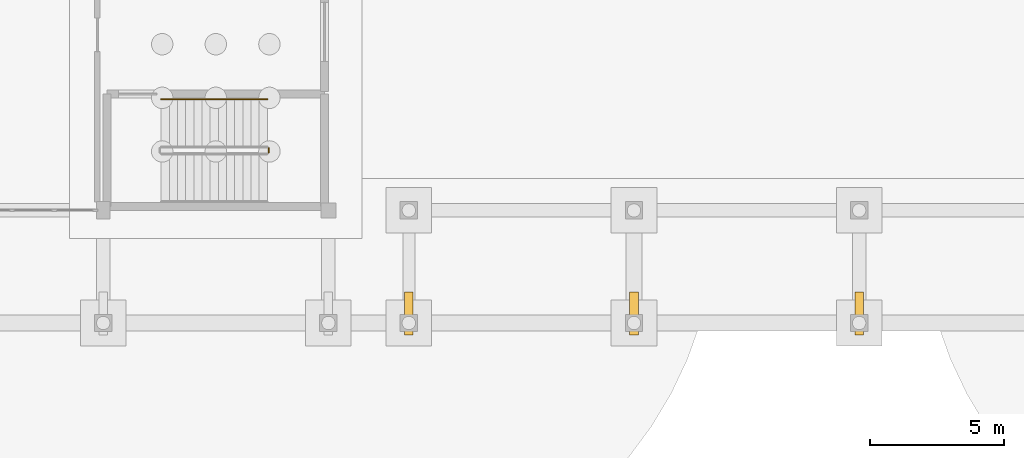
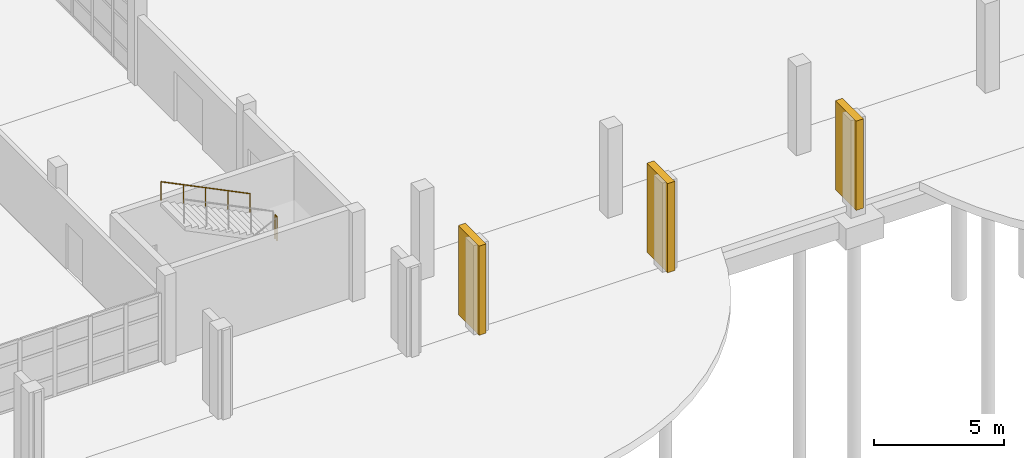
# One storey, part 71 of 88: 3 coverings, 2 railings.
"""IFC4 building model written with IfcOpenShell, lengths in metres."""

import ifcopenshell
import ifcopenshell.guid

model = None  # the IFC model being written
_history = None  # IfcOwnerHistory: only IFC2X3 demands one
_inside = {}  # id of a spatial element -> (the spatial element, [elements in it])
_under = {}  # id of a project, library or spatial element -> (it, [spatial elements below it])
_declared = {}  # id of a project -> (the project, [libraries it declares])
_typed = {}  # id of a type object -> (the type object, [elements of that type])
_made_of = {}  # id of a material, layer set ... -> (it, [elements and type objects made of it])


def new_model(schema):
    """Start an empty IFC model of exactly this schema.

    Asked for "IFC4X3", IfcOpenShell would pick the latest addendum, in which some entities
    have other attributes; the version numbers below select the first issue.
    IFC2X3 requires an IfcOwnerHistory on every rooted entity: one is made here for all.
    """
    global model, _history
    if schema == "IFC4X3":
        model = ifcopenshell.file(schema_version=(4, 3, 0, 0))
    else:
        model = ifcopenshell.file(schema=schema)
    _inside.clear()
    _under.clear()
    _declared.clear()
    _typed.clear()
    _made_of.clear()
    _history = None
    if model.schema == "IFC2X3":
        org = make("IfcOrganization", Name="unknown")
        user = make(
            "IfcPersonAndOrganization",
            ThePerson=make("IfcPerson", FamilyName="unknown"),
            TheOrganization=org,
        )
        app = make(
            "IfcApplication",
            ApplicationDeveloper=org,
            Version="unknown",
            ApplicationFullName="unknown",
            ApplicationIdentifier="unknown",
        )
        _history = make(
            "IfcOwnerHistory",
            OwningUser=user,
            OwningApplication=app,
            ChangeAction="ADDED",
            CreationDate=0,
        )
    return model


def make(cls, **values):
    """One entity of the class cls with the attributes given. An attribute that is None is left unset."""
    return model.create_entity(
        cls, **{name: value for name, value in values.items() if value is not None}
    )


def rooted(cls, **values):
    """An entity with a GlobalId (a new one), such as an element, a storey or a relation."""
    return make(cls, GlobalId=ifcopenshell.guid.new(), OwnerHistory=_history, **values)


def si_unit(unit_type, name, prefix=None):
    """IfcSIUnit, for example si_unit("LENGTHUNIT", "METRE", prefix="MILLI")."""
    return make("IfcSIUnit", UnitType=unit_type, Prefix=prefix, Name=name)


def assignment(units):
    """IfcUnitAssignment: the units of a project."""
    return None if units is None else make("IfcUnitAssignment", Units=units)


def point(xyz):
    """IfcCartesianPoint."""
    return None if xyz is None else make("IfcCartesianPoint", Coordinates=xyz)


def direction(xyz):
    """IfcDirection."""
    return None if xyz is None else make("IfcDirection", DirectionRatios=xyz)


def frame(location, z_axis=None, x_axis=None):
    """IfcAxis2Placement3D, a coordinate frame: its origin and axes. An axis left out is left unset."""
    return make(
        "IfcAxis2Placement3D",
        Location=point(location),
        Axis=direction(z_axis),
        RefDirection=direction(x_axis),
    )


def frame_2d(location, x_axis=None):
    """IfcAxis2Placement2D, a coordinate frame in the plane: its origin and x axis."""
    return make(
        "IfcAxis2Placement2D", Location=point(location), RefDirection=direction(x_axis)
    )


def origin():
    """The frame at (0, 0, 0) with its axes left unset."""
    return frame((0.0, 0.0, 0.0))


def origin_2d():
    """The frame at (0, 0) in the plane with its x axis left unset."""
    return frame_2d((0.0, 0.0))


def place(relative_to, where):
    """IfcLocalPlacement: puts the frame where relative to a parent placement (None: the world)."""
    return make(
        "IfcLocalPlacement", PlacementRelTo=relative_to, RelativePlacement=where
    )


def context(
    kind, dimensions, precision=None, world=None, true_north=None, identifier=None
):
    """IfcGeometricRepresentationContext, for example the 3D "Model" context."""
    return make(
        "IfcGeometricRepresentationContext",
        ContextIdentifier=identifier,
        ContextType=kind,
        CoordinateSpaceDimension=dimensions,
        Precision=precision,
        WorldCoordinateSystem=world,
        TrueNorth=true_north,
    )


def subcontext(parent, identifier, kind, view, scale=None):
    """IfcGeometricRepresentationSubContext, for example "Body" below "Model"."""
    return make(
        "IfcGeometricRepresentationSubContext",
        ContextIdentifier=identifier,
        ContextType=kind,
        ParentContext=parent,
        TargetScale=scale,
        TargetView=view,
    )


def project(units=None, contexts=None):
    """IfcProject with its units and contexts."""
    return rooted(
        "IfcProject",
        Name="project",
        RepresentationContexts=contexts,
        UnitsInContext=assignment(units),
    )


def spatial(cls, under=None, at=None, **own):
    """A site, building, storey or space (cls), placed at a placement, below another one or the project."""
    s = rooted(cls, ObjectPlacement=at, **own)
    if under is not None:
        _under.setdefault(under.id(), (under, []))[1].append(s)
    return s


def profile(cls, at=None, kind="AREA", **sizes):
    """A parametric profile (cls). Its sizes go by their IFC names, for example OverallWidth=200.0."""
    return make(cls, ProfileType=kind, Position=at, **sizes)


def rectangle(**sizes):
    """IfcRectangleProfileDef."""
    return profile("IfcRectangleProfileDef", **sizes)


def circle(**sizes):
    """IfcCircleProfileDef."""
    return profile("IfcCircleProfileDef", **sizes)


def extrude(swept, where, along, depth):
    """IfcExtrudedAreaSolid: the profile swept, set in the frame where, extruded along a direction by depth."""
    return make(
        "IfcExtrudedAreaSolid",
        SweptArea=swept,
        Position=where,
        ExtrudedDirection=direction(along),
        Depth=depth,
    )


def shape(context_of_items, identifier, shape_type, items):
    """IfcShapeRepresentation: the items that make up one representation, for example the "Body"."""
    return make(
        "IfcShapeRepresentation",
        ContextOfItems=context_of_items,
        RepresentationIdentifier=identifier,
        RepresentationType=shape_type,
        Items=items,
    )


def material(Name=None, Category=None):
    """IfcMaterial."""
    return make("IfcMaterial", Name=Name, Category=Category)


def layer(
    of_material, thickness, ventilated=None, Name=None, Category=None, Priority=None
):
    """IfcMaterialLayer: one layer of a wall or slab, of a material (None: an air gap)."""
    return make(
        "IfcMaterialLayer",
        Material=of_material,
        LayerThickness=thickness,
        IsVentilated=ventilated,
        Name=Name,
        Category=Category,
        Priority=Priority,
    )


def layer_set(layers, Name=None):
    """IfcMaterialLayerSet."""
    return make("IfcMaterialLayerSet", MaterialLayers=layers, LayerSetName=Name)


def made_of(thing, what):
    """Note that an element or type object is made of a material, layer set ...; save() writes the relation."""
    if what is not None:
        _made_of.setdefault(what.id(), (what, []))[1].append(thing)
    return thing


def type_object(cls, material=None, **own):
    """A type object (cls), such as IfcWallType, which elements share."""
    return made_of(rooted(cls, **own), material)


def element(
    cls,
    number,
    at=None,
    inside=None,
    cuts=None,
    type_object=None,
    material=None,
    context=None,
    identifier="Body",
    shape_type=None,
    held_by="IfcProductDefinitionShape",
    body=None,
    shapes=None,
    **own,
):
    """One element of the class cls, such as IfcWall. Its Tag is "e" and its number.

    at: its placement. inside: the storey or other place that contains it. cuts: it is an
    opening in that element (IfcRelVoidsElement). A single representation is given by context,
    identifier, shape_type and body (its items); several are given by shapes. held_by: the class
    of the entity that holds the representations. save() writes the other relations.
    """
    e = rooted(cls, Tag="e%d" % number, ObjectPlacement=at, **own)
    if body is not None:
        shapes = [shape(context, identifier, shape_type, body)]
    if shapes is not None:
        e.Representation = make(held_by, Representations=shapes)
    if inside is not None:
        _inside.setdefault(inside.id(), (inside, []))[1].append(e)
    if cuts is not None:
        rooted(
            "IfcRelVoidsElement", RelatingBuildingElement=cuts, RelatedOpeningElement=e
        )
    if type_object is not None:
        _typed.setdefault(type_object.id(), (type_object, []))[1].append(e)
    return made_of(e, material)


def aggregate(whole, parts):
    """IfcRelAggregates: a whole, such as a stair, and the parts it consists of."""
    return rooted("IfcRelAggregates", RelatingObject=whole, RelatedObjects=parts)


def save(model, path):
    """Write the relations noted so far, then the file.

    IfcRelAggregates (storeys below a building ...), IfcRelContainedInSpatialStructure (elements
    in a storey), IfcRelDefinesByType, IfcRelAssociatesMaterial and IfcRelDeclares: one each for
    every whole, place, type object, material and project.
    """
    for whole, parts in _under.values():
        aggregate(whole, parts)
    for where, things in _inside.values():
        rooted(
            "IfcRelContainedInSpatialStructure",
            RelatedElements=things,
            RelatingStructure=where,
        )
    for kind, things in _typed.values():
        rooted("IfcRelDefinesByType", RelatedObjects=things, RelatingType=kind)
    for what, things in _made_of.values():
        rooted("IfcRelAssociatesMaterial", RelatedObjects=things, RelatingMaterial=what)
    for by, libraries in _declared.values():
        rooted("IfcRelDeclares", RelatingContext=by, RelatedDefinitions=libraries)
    model.write(path)


model = new_model("IFC4")

# Units and contexts
model_context = context("Model", 3, precision=1e-05, world=origin(), true_north=direction((0.0, 1.0)))
body_context = subcontext(model_context, "Body", "Model", "MODEL_VIEW")
ifc_project = project(units=[si_unit("LENGTHUNIT", "METRE"), si_unit("AREAUNIT", "SQUARE_METRE"), si_unit("VOLUMEUNIT", "CUBIC_METRE"), si_unit("PLANEANGLEUNIT", "RADIAN"), si_unit("MASSUNIT", "GRAM", prefix="KILO")], contexts=[model_context])

# Site, building, storey
site_placement = place(None, origin())
site = spatial("IfcSite", under=ifc_project, at=site_placement, CompositionType="ELEMENT")
building_placement = place(site_placement, origin())
building = spatial("IfcBuilding", under=site, at=building_placement, Name="Vanh Quang Courtyard School", CompositionType="ELEMENT")
storey_placement = place(building_placement, origin())
storey = spatial("IfcBuildingStorey", under=building, at=storey_placement, Name="L00", CompositionType="ELEMENT", Elevation=0.0)

# Coverings
ifc_material_1 = material(Name="Board-marked precast concrete C40/50", Category="concrete")
ifc_layer = layer(ifc_material_1, 0.239990234375)
ifc_layer_set = layer_set([ifc_layer], Name="Board-marked precast concrete C40/50")
covering_type = type_object("IfcCoveringType", Name="COV-HOOD-CONC", PredefinedType="CLADDING", material=ifc_layer_set)
for number, where, z_axis, x_axis, name in (
    (1, (40.800048828125, 0.35009765625, 0.0), (0.0, 0.0, 1.0), (0.0, 1.0, 0.0), "Covering CH-01 (L00)"),
    (2, (49.199951171875, 0.35009765625, 0.0), (0.0, 0.0, 1.0), (0.0, 1.0, 0.0), "Covering CH-01 (L00)"),
    (3, (57.60009765625, 0.35009765625, 0.0), (0.0, 0.0, 1.0), (0.0, 1.0, 0.0), "Covering CH-01 (L00)"),
):
    element("IfcCovering", number, at=place(storey_placement, frame(where, z_axis=z_axis, x_axis=x_axis)), inside=storey, type_object=covering_type, Name=name, PredefinedType="CLADDING", context=body_context, shape_type="SweptSolid", body=[
        extrude(rectangle(XDim=1.60009765625, YDim=0.320068359375, at=origin_2d()), origin(), (0.0, 0.0, 1.0), 4.199951171875),
    ])

# Railings
ifc_material_2 = material(Name="Galvanised painted steel EN 10025-2 S355J2", Category="steel")
railing_type_1 = type_object("IfcRailingType", Name="RAIL-GUARD-1150", PredefinedType="BALUSTRADE", material=ifc_material_2)
railing_1_placement = place(storey_placement, frame((35.574951171875, 6.360107421875, 2.10009765625)))
element("IfcRailing", 4, at=railing_1_placement, inside=storey, type_object=railing_type_1, Name="L00 ST-06 stair guard 2", PredefinedType="BALUSTRADE", context=body_context, shape_type="SweptSolid", body=[
    extrude(circle(Radius=0.02392578125, at=origin_2d()), frame((0.0, 0.0, 1.1259765625), z_axis=(0.0, 1.0, 0.0), x_axis=(-1.0, 0.0, 0.0)), (0.0, 0.0, 1.0), 0.159912109375),
    extrude(circle(Radius=0.02099609375, at=origin_2d()), origin(), (0.0, 0.0, 1.0), 1.101806640625),
    extrude(circle(Radius=0.02099609375, at=origin_2d()), frame((0.0, 0.159912109375, 0.0)), (0.0, 0.0, 1.0), 1.101806640625),
])
ifc_material_3 = material(Name="Brushed stainless steel", Category="steel")
railing_type_2 = type_object("IfcRailingType", Name="RAIL-HAND-900", PredefinedType="HANDRAIL", material=ifc_material_3)
railing_2_placement = place(storey_placement, frame((35.52490234375, 8.35009765625, 2.25)))
element("IfcRailing", 5, at=railing_2_placement, inside=storey, type_object=railing_type_2, Name="L00 ST-06 stair handrail 2", PredefinedType="HANDRAIL", context=body_context, shape_type="SweptSolid", body=[
    extrude(circle(Radius=0.02392578125, at=origin_2d()), frame((0.0, 0.0, 0.8759765625), z_axis=(-0.897347455041, 0.0, 0.441324761294), x_axis=(0.0, -1.0, 0.0)), (0.0, 0.0, 1.0), 4.41845703125),
    extrude(circle(Radius=0.02099609375, at=origin_2d()), origin(), (0.0, 0.0, 1.0), 0.851806640625),
    extrude(circle(Radius=0.02099609375, at=origin_2d()), frame((-0.9912109375, 0.0, 0.487548828125)), (0.0, 0.0, 1.0), 0.851806640625),
    extrude(circle(Radius=0.02099609375, at=origin_2d()), frame((-1.982421875, 0.0, 0.97509765625)), (0.0, 0.0, 1.0), 0.851806640625),
    extrude(circle(Radius=0.02099609375, at=origin_2d()), frame((-2.9736328125, 0.0, 1.46240234375)), (0.0, 0.0, 1.0), 0.851806640625),
    extrude(circle(Radius=0.02099609375, at=origin_2d()), frame((-3.96484375, 0.0, 1.949951171875)), (0.0, 0.0, 1.0), 0.851806640625),
])

save(model, "model.ifc")
